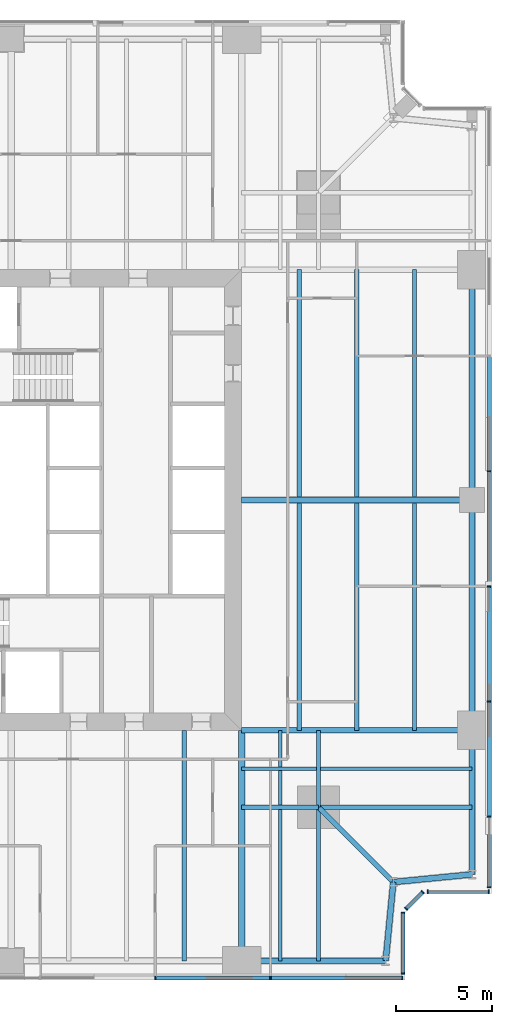
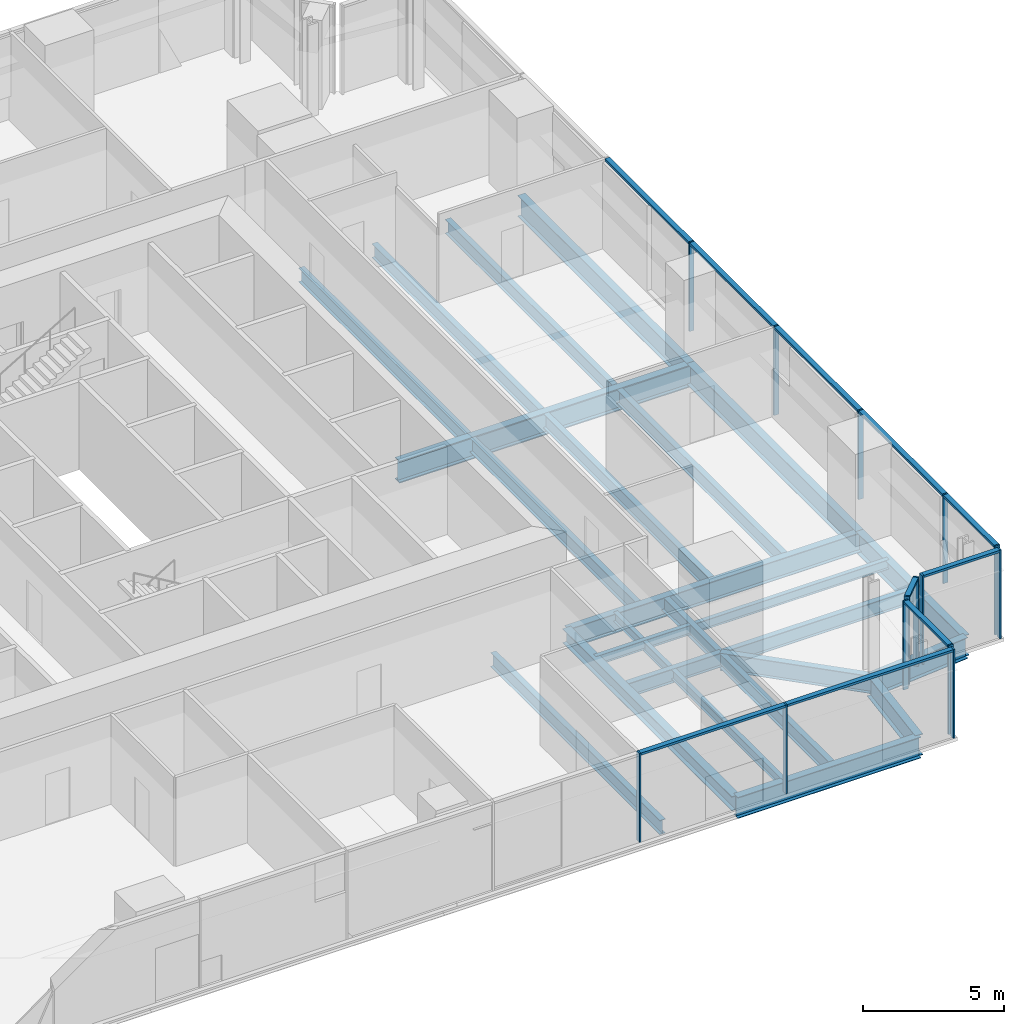
# One storey, part 5 of 14: 26 beams, 24 members, 5 elements without a shape of their own.
"""IFC4 building model written with IfcOpenShell, lengths in metres."""

from ifc_helpers import new_model, si_unit, direction, frame, origin, origin_2d, place, context, subcontext, project, spatial, rectangle, i_section, extrude, material, material_profile, profile_set, type_object, element, aggregate, save


model = new_model("IFC4")

# Units and contexts
model_context = context("Model", 3, precision=1e-05, world=origin(), true_north=direction((0.0, 1.0)))
body_context = subcontext(model_context, "Body", "Model", "MODEL_VIEW")
ifc_project = project(units=[si_unit("LENGTHUNIT", "METRE"), si_unit("AREAUNIT", "SQUARE_METRE"), si_unit("VOLUMEUNIT", "CUBIC_METRE"), si_unit("PLANEANGLEUNIT", "RADIAN"), si_unit("MASSUNIT", "GRAM", prefix="KILO")], contexts=[model_context])

# Site, building, storey
site_placement = place(None, origin())
site = spatial("IfcSite", under=ifc_project, at=site_placement, CompositionType="ELEMENT")
building_placement = place(site_placement, origin())
building = spatial("IfcBuilding", under=site, at=building_placement, Name="Fenwick Lantern Interchange", CompositionType="ELEMENT")
storey_placement = place(building_placement, frame((0.0, 0.0, 154.39990234375)))
storey = spatial("IfcBuildingStorey", under=building, at=storey_placement, Name="L36", CompositionType="ELEMENT", Elevation=154.39990234375)

# Beams
ifc_material_1 = material(Name="Steel ASTM A992 Grade 50", Category="steel")
ifc_material_profile_1 = material_profile(ifc_material_1, i_section(OverallWidth=0.3046875, OverallDepth=0.911865234375, WebThickness=0.015869140625, FlangeThickness=0.02392578125, at=origin_2d()), Name="W36X150")
ifc_profile_set_1 = profile_set([ifc_material_profile_1], Name="Steel ASTM A992 Grade 50")
beam_type_1 = type_object("IfcBeamType", Name="EDGE BEAM W36X150", PredefinedType="SPANDREL", material=ifc_profile_set_1)
beam_1_placement = place(storey_placement, frame((37.0, 1.0, -0.605712890625), z_axis=(1.0, 0.0, 0.0), x_axis=(0.0, 1.0, 0.0)))
element("IfcBeam", 1, at=beam_1_placement, inside=storey, type_object=beam_type_1, Name="L36/FR/S/EB4", PredefinedType="SPANDREL", context=body_context, shape_type="SweptSolid", body=[
    extrude(i_section(OverallWidth=0.3046875, OverallDepth=0.911865234375, WebThickness=0.015869140625, FlangeThickness=0.02392578125, at=origin_2d()), origin(), (0.0, 0.0, 1.0), 7.5),
])
for number, where, z_axis, x_axis, name in (
    (2, (44.5, 1.0, -0.605712890625), (0.097074191287, 0.995277148028, 0.0), (-0.995277148028, 0.097074191287, 0.0), "L36/FR/S/EBR1"),
    (3, (44.89990234375, 5.10009765625, -0.605712890625), (0.995277148028, 0.097074191287, 0.0), (-0.097074191287, 0.995277148028, 0.0), "L36/FR/S/EBR2"),
):
    element("IfcBeam", number, at=place(storey_placement, frame(where, z_axis=z_axis, x_axis=x_axis)), inside=storey, type_object=beam_type_1, Name=name, PredefinedType="SPANDREL", context=body_context, shape_type="SweptSolid", body=[
        extrude(i_section(OverallWidth=0.3046875, OverallDepth=0.911865234375, WebThickness=0.015869140625, FlangeThickness=0.02392578125, at=origin_2d()), origin(), (0.0, 0.0, 1.0), 4.11962890625),
    ])
beam_2_placement = place(storey_placement, frame((49.0, 5.5, -0.605712890625), z_axis=(0.0, 1.0, 0.0), x_axis=(-1.0, 0.0, 0.0)))
element("IfcBeam", 4, at=beam_2_placement, inside=storey, type_object=beam_type_1, Name="L36/FR/E/EB1", PredefinedType="SPANDREL", context=body_context, shape_type="SweptSolid", body=[
    extrude(i_section(OverallWidth=0.3046875, OverallDepth=0.911865234375, WebThickness=0.015869140625, FlangeThickness=0.02392578125, at=origin_2d()), origin(), (0.0, 0.0, 1.0), 7.5),
])
for number, where, z_axis, x_axis, name in (
    (5, (49.0, 13.0, -0.605712890625), (0.0, 1.0, 0.0), (-1.0, 0.0, 0.0), "L36/FR/E/EB2"),
    (6, (49.0, 25.0, -0.605712890625), (0.0, 1.0, 0.0), (-1.0, 0.0, 0.0), "L36/FR/E/EB3"),
):
    element("IfcBeam", number, at=place(storey_placement, frame(where, z_axis=z_axis, x_axis=x_axis)), inside=storey, type_object=beam_type_1, Name=name, PredefinedType="SPANDREL", context=body_context, shape_type="SweptSolid", body=[
        extrude(i_section(OverallWidth=0.3046875, OverallDepth=0.911865234375, WebThickness=0.015869140625, FlangeThickness=0.02392578125, at=origin_2d()), origin(), (0.0, 0.0, 1.0), 12.0),
    ])
ifc_material_profile_2 = material_profile(ifc_material_1, i_section(OverallWidth=0.22900390625, OverallDepth=0.612060546875, WebThickness=0.011962890625, FlangeThickness=0.01953125, at=origin_2d()), Name="W24X84")
ifc_profile_set_2 = profile_set([ifc_material_profile_2], Name="Steel ASTM A992 Grade 50")
beam_type_2 = type_object("IfcBeamType", Name="FLOOR BEAM W24X84", PredefinedType="BEAM", material=ifc_profile_set_2)
beam_3_placement = place(storey_placement, frame((34.0, 1.0, -0.4560546875), z_axis=(0.0, 1.0, 0.0), x_axis=(-1.0, 0.0, 0.0)))
element("IfcBeam", 7, at=beam_3_placement, inside=storey, type_object=beam_type_2, Name="L36/FR/S/R08", PredefinedType="BEAM", context=body_context, shape_type="SweptSolid", body=[
    extrude(i_section(OverallWidth=0.22900390625, OverallDepth=0.612060546875, WebThickness=0.011962890625, FlangeThickness=0.01953125, at=origin_2d()), origin(), (0.0, 0.0, 1.0), 12.0),
])
for number, where, z_axis, x_axis, name in (
    (8, (46.0, 13.0, -0.4560546875), (0.0, 1.0, 0.0), (-1.0, 0.0, 0.0), "L36/FR/E/B01"),
    (9, (43.0, 13.0, -0.4560546875), (0.0, 1.0, 0.0), (-1.0, 0.0, 0.0), "L36/FR/E/B02"),
    (10, (40.0, 13.0, -0.4560546875), (0.0, 1.0, 0.0), (-1.0, 0.0, 0.0), "L36/FR/E/B03"),
    (11, (46.0, 25.155029296875, -0.4560546875), (0.0, 1.0, 0.0), (-1.0, 0.0, 0.0), "L36/FR/E/B04"),
    (12, (43.0, 25.155029296875, -0.4560546875), (0.0, 1.0, 0.0), (-1.0, 0.0, 0.0), "L36/FR/E/B05"),
    (13, (40.0, 25.155029296875, -0.4560546875), (0.0, 1.0, 0.0), (-1.0, 0.0, 0.0), "L36/FR/E/B06"),
):
    element("IfcBeam", number, at=place(storey_placement, frame(where, z_axis=z_axis, x_axis=x_axis)), inside=storey, type_object=beam_type_2, Name=name, PredefinedType="BEAM", context=body_context, shape_type="SweptSolid", body=[
        extrude(i_section(OverallWidth=0.22900390625, OverallDepth=0.612060546875, WebThickness=0.011962890625, FlangeThickness=0.01953125, at=origin_2d()), origin(), (0.0, 0.0, 1.0), 11.844970703125),
    ])
ifc_material_profile_3 = material_profile(ifc_material_1, i_section(OverallWidth=0.177734375, OverallDepth=0.406494140625, WebThickness=0.0078125, FlangeThickness=0.012939453125, at=origin_2d()), Name="W16X40")
ifc_profile_set_3 = profile_set([ifc_material_profile_3], Name="Steel ASTM A992 Grade 50")
beam_type_3 = type_object("IfcBeamType", Name="INFILL BEAM W16X40", PredefinedType="JOIST", material=ifc_profile_set_3)
beam_4_placement = place(storey_placement, frame((49.0, 11.0, -0.35302734375), z_axis=(-1.0, 0.0, 0.0), x_axis=(0.0, -1.0, 0.0)))
element("IfcBeam", 14, at=beam_4_placement, inside=storey, type_object=beam_type_3, Name="L36/FR/E/J1", PredefinedType="JOIST", context=body_context, shape_type="SweptSolid", body=[
    extrude(i_section(OverallWidth=0.177734375, OverallDepth=0.406494140625, WebThickness=0.0078125, FlangeThickness=0.012939453125, at=origin_2d()), origin(), (0.0, 0.0, 1.0), 7.885498046875),
])
beam_5_placement = place(storey_placement, frame((40.885498046875, 11.0, -0.35302734375), z_axis=(-1.0, 0.0, 0.0), x_axis=(0.0, -1.0, 0.0)))
element("IfcBeam", 15, at=beam_5_placement, inside=storey, type_object=beam_type_3, Name="L36/FR/E/J2", PredefinedType="JOIST", context=body_context, shape_type="SweptSolid", body=[
    extrude(i_section(OverallWidth=0.177734375, OverallDepth=0.406494140625, WebThickness=0.0078125, FlangeThickness=0.012939453125, at=origin_2d()), origin(), (0.0, 0.0, 1.0), 3.885498046875),
])
beam_6_placement = place(storey_placement, frame((39.0, 1.0, -0.35302734375), z_axis=(0.0, 1.0, 0.0), x_axis=(-1.0, 0.0, 0.0)))
element("IfcBeam", 16, at=beam_6_placement, inside=storey, type_object=beam_type_3, Name="L36/FR/E/J3", PredefinedType="JOIST", context=body_context, shape_type="SweptSolid", body=[
    extrude(i_section(OverallWidth=0.177734375, OverallDepth=0.406494140625, WebThickness=0.0078125, FlangeThickness=0.012939453125, at=origin_2d()), origin(), (0.0, 0.0, 1.0), 7.885498046875),
])
beam_7_placement = place(storey_placement, frame((39.0, 9.114501953125, -0.35302734375), z_axis=(0.0, 1.0, 0.0), x_axis=(-1.0, 0.0, 0.0)))
element("IfcBeam", 17, at=beam_7_placement, inside=storey, type_object=beam_type_3, Name="L36/FR/E/J4", PredefinedType="JOIST", context=body_context, shape_type="SweptSolid", body=[
    extrude(i_section(OverallWidth=0.177734375, OverallDepth=0.406494140625, WebThickness=0.0078125, FlangeThickness=0.012939453125, at=origin_2d()), origin(), (0.0, 0.0, 1.0), 1.796630859375),
])
beam_8_placement = place(storey_placement, frame((39.0, 11.0888671875, -0.35302734375), z_axis=(0.0, 1.0, 0.0), x_axis=(-1.0, 0.0, 0.0)))
element("IfcBeam", 18, at=beam_8_placement, inside=storey, type_object=beam_type_3, Name="L36/FR/E/J5", PredefinedType="JOIST", context=body_context, shape_type="SweptSolid", body=[
    extrude(i_section(OverallWidth=0.177734375, OverallDepth=0.406494140625, WebThickness=0.0078125, FlangeThickness=0.012939453125, at=origin_2d()), origin(), (0.0, 0.0, 1.0), 1.9111328125),
])
ifc_material_profile_4 = material_profile(ifc_material_1, i_section(OverallWidth=0.22900390625, OverallDepth=0.612060546875, WebThickness=0.011962890625, FlangeThickness=0.01953125, at=origin_2d()), Name="W24X84")
ifc_profile_set_4 = profile_set([ifc_material_profile_4], Name="Steel ASTM A992 Grade 50")
beam_type_4 = type_object("IfcBeamType", Name="MEGA COLUMN BEAM W24X84", PredefinedType="BEAM", material=ifc_profile_set_4)
for number, where, z_axis, x_axis, name in (
    (19, (41.0, 9.0, -0.4560546875), (1.0, 0.0, 0.0), (0.0, 1.0, 0.0), "L36/FR/E/MB1"),
    (20, (41.0, 9.0, -0.4560546875), (0.0, -1.0, 0.0), (1.0, 0.0, 0.0), "L36/FR/E/MB2"),
):
    element("IfcBeam", number, at=place(storey_placement, frame(where, z_axis=z_axis, x_axis=x_axis)), inside=storey, type_object=beam_type_4, Name=name, PredefinedType="BEAM", context=body_context, shape_type="SweptSolid", body=[
        extrude(i_section(OverallWidth=0.22900390625, OverallDepth=0.612060546875, WebThickness=0.011962890625, FlangeThickness=0.01953125, at=origin_2d()), origin(), (0.0, 0.0, 1.0), 8.0),
    ])
for number, where, z_axis, x_axis, name in (
    (21, (41.0, 9.0, -0.4560546875), (0.0, 1.0, 0.0), (-1.0, 0.0, 0.0), "L36/FR/E/MB3"),
    (22, (41.0, 9.0, -0.4560546875), (-1.0, 0.0, 0.0), (0.0, -1.0, 0.0), "L36/FR/E/MB4"),
):
    element("IfcBeam", number, at=place(storey_placement, frame(where, z_axis=z_axis, x_axis=x_axis)), inside=storey, type_object=beam_type_4, Name=name, PredefinedType="BEAM", context=body_context, shape_type="SweptSolid", body=[
        extrude(i_section(OverallWidth=0.22900390625, OverallDepth=0.612060546875, WebThickness=0.011962890625, FlangeThickness=0.01953125, at=origin_2d()), origin(), (0.0, 0.0, 1.0), 4.0),
    ])
ifc_material_profile_5 = material_profile(ifc_material_1, i_section(OverallWidth=0.32763671875, OverallDepth=0.622314453125, WebThickness=0.015380859375, FlangeThickness=0.0244140625, at=origin_2d()), Name="W24X131")
ifc_profile_set_5 = profile_set([ifc_material_profile_5], Name="Steel ASTM A992 Grade 50")
beam_type_5 = type_object("IfcBeamType", Name="MOMENT-CONNECTED GIRDER W24X131", PredefinedType="BEAM", material=ifc_profile_set_5)
beam_9_placement = place(storey_placement, frame((37.0, 1.0, -0.4609375), z_axis=(0.0, 1.0, 0.0), x_axis=(-1.0, 0.0, 0.0)))
element("IfcBeam", 23, at=beam_9_placement, inside=storey, type_object=beam_type_5, Name="L36/FR/S/R09", PredefinedType="BEAM", context=body_context, shape_type="SweptSolid", body=[
    extrude(i_section(OverallWidth=0.32763671875, OverallDepth=0.622314453125, WebThickness=0.015380859375, FlangeThickness=0.0244140625, at=origin_2d()), origin(), (0.0, 0.0, 1.0), 12.0),
])
ifc_material_profile_6 = material_profile(ifc_material_1, i_section(OverallWidth=0.2919921875, OverallDepth=0.845703125, WebThickness=0.015380859375, FlangeThickness=0.0244140625, at=origin_2d()), Name="W33X141")
ifc_profile_set_6 = profile_set([ifc_material_profile_6], Name="Steel ASTM A992 Grade 50")
beam_type_6 = type_object("IfcBeamType", Name="MOMENT-CONNECTED GIRDER W33X141", PredefinedType="BEAM", material=ifc_profile_set_6)
beam_10_placement = place(storey_placement, frame((49.0, 13.0, -0.57275390625), z_axis=(-1.0, 0.0, 0.0), x_axis=(0.0, -1.0, 0.0)))
element("IfcBeam", 24, at=beam_10_placement, inside=storey, type_object=beam_type_6, Name="L36/FR/E/R01", PredefinedType="BEAM", context=body_context, shape_type="SweptSolid", body=[
    extrude(i_section(OverallWidth=0.2919921875, OverallDepth=0.845703125, WebThickness=0.015380859375, FlangeThickness=0.0244140625, at=origin_2d()), origin(), (0.0, 0.0, 1.0), 12.0),
])
ifc_material_profile_7 = material_profile(ifc_material_1, i_section(OverallWidth=0.309814453125, OverallDepth=0.949951171875, WebThickness=0.0244140625, FlangeThickness=0.0439453125, at=origin_2d()), Name="W36X256")
ifc_profile_set_7 = profile_set([ifc_material_profile_7], Name="Steel ASTM A992 Grade 50")
beam_type_7 = type_object("IfcBeamType", Name="MOMENT-CONNECTED GIRDER W36X256", PredefinedType="BEAM", material=ifc_profile_set_7)
beam_11_placement = place(storey_placement, frame((49.0, 25.0, -0.625), z_axis=(-1.0, 0.0, 0.0), x_axis=(0.0, -1.0, 0.0)))
element("IfcBeam", 25, at=beam_11_placement, inside=storey, type_object=beam_type_7, Name="L36/FR/E/R02", PredefinedType="BEAM", context=body_context, shape_type="SweptSolid", body=[
    extrude(i_section(OverallWidth=0.309814453125, OverallDepth=0.949951171875, WebThickness=0.0244140625, FlangeThickness=0.0439453125, at=origin_2d()), origin(), (0.0, 0.0, 1.0), 12.0),
])
ifc_material_profile_8 = material_profile(ifc_material_1, i_section(OverallWidth=0.2666015625, OverallDepth=0.7568359375, WebThickness=0.013916015625, FlangeThickness=0.019287109375, at=origin_2d()), Name="W30X108")
ifc_profile_set_8 = profile_set([ifc_material_profile_8], Name="Steel ASTM A992 Grade 50")
beam_type_8 = type_object("IfcBeamType", Name="NOTCH BEAM W30X108", PredefinedType="BEAM", material=ifc_profile_set_8)
beam_12_placement = place(storey_placement, frame((41.0, 9.0, -0.5283203125), z_axis=(0.707106781187, -0.707106781187, 0.0), x_axis=(0.707106781187, 0.707106781187, 0.0)))
element("IfcBeam", 26, at=beam_12_placement, inside=storey, type_object=beam_type_8, Name="L36/FR/E/TG", PredefinedType="BEAM", context=body_context, shape_type="SweptSolid", body=[
    extrude(i_section(OverallWidth=0.2666015625, OverallDepth=0.7568359375, WebThickness=0.013916015625, FlangeThickness=0.019287109375, at=origin_2d()), origin(), (0.0, 0.0, 1.0), 5.515380859375),
])

# Curtain wall, members
ifc_material_2 = material(Name="Aluminium curtain wall frame", Category="aluminium")
curtain_wall_type = type_object("IfcCurtainWallType", Name="OFFICE CURTAIN WALL", PredefinedType="USERDEFINED", material=ifc_material_2)
curtain_wall_1_placement = place(storey_placement, origin())
curtain_wall_1 = element("IfcCurtainWall", 27, at=curtain_wall_1_placement, inside=storey, type_object=curtain_wall_type, Name="Office curtain wall 01", ObjectType="OFFICE CURTAIN WALL", PredefinedType="USERDEFINED")
ifc_material_3 = material(Name="Aluminium extrusion", Category="aluminium")
ifc_material_profile_9 = material_profile(ifc_material_3, rectangle(XDim=0.199951171875, YDim=0.06494140625, at=origin_2d()), Name="OFFICE CURTAIN WALL MULLION 65 X 200")
ifc_profile_set_9 = profile_set([ifc_material_profile_9], Name="Aluminium extrusion")
member_type_1 = type_object("IfcMemberType", Name="OFFICE CURTAIN WALL MULLION 65 X 200", PredefinedType="MULLION", material=ifc_profile_set_9)
member_1_placement = place(storey_placement, frame((32.5, 0.10009765625, 0.0), z_axis=(0.0, 0.0, 1.0), x_axis=(0.0, 1.0, 0.0)))
member_1 = element("IfcMember", 28, at=member_1_placement, type_object=member_type_1, Name="L36/CW/01/M05", PredefinedType="MULLION", context=body_context, shape_type="SweptSolid", body=[
    extrude(rectangle(XDim=0.199951171875, YDim=0.06494140625, at=origin_2d()), origin(), (0.0, 0.0, 1.0), 3.85009765625),
])
member_2_placement = place(storey_placement, frame((38.5, 0.10009765625, 0.0), z_axis=(0.0, 0.0, 1.0), x_axis=(0.0, 1.0, 0.0)))
member_2 = element("IfcMember", 29, at=member_2_placement, type_object=member_type_1, Name="L36/CW/01/M06", PredefinedType="MULLION", context=body_context, shape_type="SweptSolid", body=[
    extrude(rectangle(XDim=0.199951171875, YDim=0.06494140625, at=origin_2d()), origin(), (0.0, 0.0, 1.0), 3.85009765625),
])
member_3_placement = place(storey_placement, frame((45.367431640625, 0.10009765625, 0.0), z_axis=(0.0, 0.0, 1.0), x_axis=(0.0, 1.0, 0.0)))
member_3 = element("IfcMember", 30, at=member_3_placement, type_object=member_type_1, Name="L36/CW/01/M07", PredefinedType="MULLION", context=body_context, shape_type="SweptSolid", body=[
    extrude(rectangle(XDim=0.199951171875, YDim=0.06494140625, at=origin_2d()), origin(), (0.0, 0.0, 1.0), 3.85009765625),
])

curtain_wall_2_placement = place(storey_placement, origin())
curtain_wall_2 = element("IfcCurtainWall", 31, at=curtain_wall_2_placement, inside=storey, type_object=curtain_wall_type, Name="Office curtain wall 02", ObjectType="OFFICE CURTAIN WALL", PredefinedType="USERDEFINED")
member_4_placement = place(storey_placement, frame((45.39990234375, 0.33251953125, 0.0), z_axis=(0.0, 0.0, 1.0), x_axis=(-1.0, 0.0, 0.0)))
member_4 = element("IfcMember", 32, at=member_4_placement, type_object=member_type_1, Name="L36/CW/02/M00", PredefinedType="MULLION", context=body_context, shape_type="SweptSolid", body=[
    extrude(rectangle(XDim=0.199951171875, YDim=0.06494140625, at=origin_2d()), origin(), (0.0, 0.0, 1.0), 3.85009765625),
])
member_5_placement = place(storey_placement, frame((45.39990234375, 3.509033203125, 0.0), z_axis=(0.0, 0.0, 1.0), x_axis=(-1.0, 0.0, 0.0)))
member_5 = element("IfcMember", 33, at=member_5_placement, type_object=member_type_1, Name="L36/CW/02/M01", PredefinedType="MULLION", context=body_context, shape_type="SweptSolid", body=[
    extrude(rectangle(XDim=0.199951171875, YDim=0.06494140625, at=origin_2d()), origin(), (0.0, 0.0, 1.0), 3.85009765625),
])

curtain_wall_3_placement = place(storey_placement, origin())
curtain_wall_3 = element("IfcCurtainWall", 34, at=curtain_wall_3_placement, inside=storey, type_object=curtain_wall_type, Name="Office curtain wall 03", ObjectType="OFFICE CURTAIN WALL", PredefinedType="USERDEFINED")
member_6_placement = place(storey_placement, frame((45.564453125, 3.705810546875, 0.0), z_axis=(0.0, 0.0, 1.0), x_axis=(-0.707106781187, 0.707106781187, 0.0)))
member_6 = element("IfcMember", 35, at=member_6_placement, type_object=member_type_1, Name="L36/CW/03/M00", PredefinedType="MULLION", context=body_context, shape_type="SweptSolid", body=[
    extrude(rectangle(XDim=0.199951171875, YDim=0.06494140625, at=origin_2d()), origin(), (0.0, 0.0, 1.0), 3.85009765625),
])
member_7_placement = place(storey_placement, frame((46.435546875, 4.576904296875, 0.0), z_axis=(0.0, 0.0, 1.0), x_axis=(-0.707106781187, 0.707106781187, 0.0)))
member_7 = element("IfcMember", 36, at=member_7_placement, type_object=member_type_1, Name="L36/CW/03/M01", PredefinedType="MULLION", context=body_context, shape_type="SweptSolid", body=[
    extrude(rectangle(XDim=0.199951171875, YDim=0.06494140625, at=origin_2d()), origin(), (0.0, 0.0, 1.0), 3.85009765625),
])

curtain_wall_4_placement = place(storey_placement, origin())
curtain_wall_4 = element("IfcCurtainWall", 37, at=curtain_wall_4_placement, inside=storey, type_object=curtain_wall_type, Name="Office curtain wall 04", ObjectType="OFFICE CURTAIN WALL", PredefinedType="USERDEFINED")
member_8_placement = place(storey_placement, frame((46.691162109375, 4.60009765625, 0.0), z_axis=(0.0, 0.0, 1.0), x_axis=(0.0, 1.0, 0.0)))
member_8 = element("IfcMember", 38, at=member_8_placement, type_object=member_type_1, Name="L36/CW/04/M00", PredefinedType="MULLION", context=body_context, shape_type="SweptSolid", body=[
    extrude(rectangle(XDim=0.199951171875, YDim=0.06494140625, at=origin_2d()), origin(), (0.0, 0.0, 1.0), 3.85009765625),
])
member_9_placement = place(storey_placement, frame((49.867431640625, 4.60009765625, 0.0), z_axis=(0.0, 0.0, 1.0), x_axis=(0.0, 1.0, 0.0)))
member_9 = element("IfcMember", 39, at=member_9_placement, type_object=member_type_1, Name="L36/CW/04/M01", PredefinedType="MULLION", context=body_context, shape_type="SweptSolid", body=[
    extrude(rectangle(XDim=0.199951171875, YDim=0.06494140625, at=origin_2d()), origin(), (0.0, 0.0, 1.0), 3.85009765625),
])

curtain_wall_5_placement = place(storey_placement, origin())
curtain_wall_5 = element("IfcCurtainWall", 40, at=curtain_wall_5_placement, inside=storey, type_object=curtain_wall_type, Name="Office curtain wall 05", ObjectType="OFFICE CURTAIN WALL", PredefinedType="USERDEFINED")
member_10_placement = place(storey_placement, frame((49.89990234375, 4.83251953125, 0.0), z_axis=(0.0, 0.0, 1.0), x_axis=(-1.0, 0.0, 0.0)))
member_10 = element("IfcMember", 41, at=member_10_placement, type_object=member_type_1, Name="L36/CW/05/M00", PredefinedType="MULLION", context=body_context, shape_type="SweptSolid", body=[
    extrude(rectangle(XDim=0.199951171875, YDim=0.06494140625, at=origin_2d()), origin(), (0.0, 0.0, 1.0), 3.85009765625),
])
member_11_placement = place(storey_placement, frame((49.89990234375, 8.5, 0.0), z_axis=(0.0, 0.0, 1.0), x_axis=(-1.0, 0.0, 0.0)))
member_11 = element("IfcMember", 42, at=member_11_placement, type_object=member_type_1, Name="L36/CW/05/M01", PredefinedType="MULLION", context=body_context, shape_type="SweptSolid", body=[
    extrude(rectangle(XDim=0.199951171875, YDim=0.06494140625, at=origin_2d()), origin(), (0.0, 0.0, 1.0), 3.85009765625),
])
member_12_placement = place(storey_placement, frame((49.89990234375, 14.5, 0.0), z_axis=(0.0, 0.0, 1.0), x_axis=(-1.0, 0.0, 0.0)))
member_12 = element("IfcMember", 43, at=member_12_placement, type_object=member_type_1, Name="L36/CW/05/M02", PredefinedType="MULLION", context=body_context, shape_type="SweptSolid", body=[
    extrude(rectangle(XDim=0.199951171875, YDim=0.06494140625, at=origin_2d()), origin(), (0.0, 0.0, 1.0), 3.85009765625),
])
member_13_placement = place(storey_placement, frame((49.89990234375, 20.5, 0.0), z_axis=(0.0, 0.0, 1.0), x_axis=(-1.0, 0.0, 0.0)))
member_13 = element("IfcMember", 44, at=member_13_placement, type_object=member_type_1, Name="L36/CW/05/M03", PredefinedType="MULLION", context=body_context, shape_type="SweptSolid", body=[
    extrude(rectangle(XDim=0.199951171875, YDim=0.06494140625, at=origin_2d()), origin(), (0.0, 0.0, 1.0), 3.85009765625),
])
member_14_placement = place(storey_placement, frame((49.89990234375, 26.5, 0.0), z_axis=(0.0, 0.0, 1.0), x_axis=(-1.0, 0.0, 0.0)))
member_14 = element("IfcMember", 45, at=member_14_placement, type_object=member_type_1, Name="L36/CW/05/M04", PredefinedType="MULLION", context=body_context, shape_type="SweptSolid", body=[
    extrude(rectangle(XDim=0.199951171875, YDim=0.06494140625, at=origin_2d()), origin(), (0.0, 0.0, 1.0), 3.85009765625),
])

# Member
ifc_material_profile_10 = material_profile(ifc_material_3, rectangle(XDim=0.199951171875, YDim=0.10009765625, at=origin_2d()), Name="OFFICE CURTAIN WALL TRANSOM 100 X 200")
ifc_profile_set_10 = profile_set([ifc_material_profile_10], Name="Aluminium extrusion")
member_type_2 = type_object("IfcMemberType", Name="OFFICE CURTAIN WALL TRANSOM 100 X 200", PredefinedType="MULLION", material=ifc_profile_set_10)
member_15_placement = place(storey_placement, frame((32.532470703125, 0.10009765625, 3.800048828125), z_axis=(1.0, 0.0, 0.0), x_axis=(0.0, 1.0, 0.0)))
member_15 = element("IfcMember", 46, at=member_15_placement, type_object=member_type_2, Name="L36/CW/01/T05", PredefinedType="MULLION", context=body_context, shape_type="SweptSolid", body=[
    extrude(rectangle(XDim=0.199951171875, YDim=0.10009765625, at=origin_2d()), origin(), (0.0, 0.0, 1.0), 5.93505859375),
])

member_16_placement = place(storey_placement, frame((38.532470703125, 0.10009765625, 3.800048828125), z_axis=(1.0, 0.0, 0.0), x_axis=(0.0, 1.0, 0.0)))
member_16 = element("IfcMember", 47, at=member_16_placement, type_object=member_type_2, Name="L36/CW/01/T06", PredefinedType="MULLION", context=body_context, shape_type="SweptSolid", body=[
    extrude(rectangle(XDim=0.199951171875, YDim=0.10009765625, at=origin_2d()), origin(), (0.0, 0.0, 1.0), 6.802490234375),
])

aggregate(curtain_wall_1, [member_1, member_2, member_3, member_15, member_16])

member_17_placement = place(storey_placement, frame((45.39990234375, 0.364990234375, 3.800048828125), z_axis=(0.0, 1.0, 0.0), x_axis=(-1.0, 0.0, 0.0)))
member_17 = element("IfcMember", 48, at=member_17_placement, type_object=member_type_2, Name="L36/CW/02/T00", PredefinedType="MULLION", context=body_context, shape_type="SweptSolid", body=[
    extrude(rectangle(XDim=0.199951171875, YDim=0.10009765625, at=origin_2d()), origin(), (0.0, 0.0, 1.0), 3.111328125),
])

aggregate(curtain_wall_2, [member_4, member_5, member_17])

member_18_placement = place(storey_placement, frame((45.58740234375, 3.728759765625, 3.800048828125), z_axis=(0.707106781187, 0.707106781187, 0.0), x_axis=(-0.707106781187, 0.707106781187, 0.0)))
member_18 = element("IfcMember", 49, at=member_18_placement, type_object=member_type_2, Name="L36/CW/03/T00", PredefinedType="MULLION", context=body_context, shape_type="SweptSolid", body=[
    extrude(rectangle(XDim=0.199951171875, YDim=0.10009765625, at=origin_2d()), origin(), (0.0, 0.0, 1.0), 1.1669921875),
])

aggregate(curtain_wall_3, [member_6, member_7, member_18])

member_19_placement = place(storey_placement, frame((46.7236328125, 4.60009765625, 3.800048828125), z_axis=(1.0, 0.0, 0.0), x_axis=(0.0, 1.0, 0.0)))
member_19 = element("IfcMember", 50, at=member_19_placement, type_object=member_type_2, Name="L36/CW/04/T00", PredefinedType="MULLION", context=body_context, shape_type="SweptSolid", body=[
    extrude(rectangle(XDim=0.199951171875, YDim=0.10009765625, at=origin_2d()), origin(), (0.0, 0.0, 1.0), 3.111328125),
])

aggregate(curtain_wall_4, [member_8, member_9, member_19])

member_20_placement = place(storey_placement, frame((49.89990234375, 4.864990234375, 3.800048828125), z_axis=(0.0, 1.0, 0.0), x_axis=(-1.0, 0.0, 0.0)))
member_20 = element("IfcMember", 51, at=member_20_placement, type_object=member_type_2, Name="L36/CW/05/T00", PredefinedType="MULLION", context=body_context, shape_type="SweptSolid", body=[
    extrude(rectangle(XDim=0.199951171875, YDim=0.10009765625, at=origin_2d()), origin(), (0.0, 0.0, 1.0), 3.6025390625),
])

member_21_placement = place(storey_placement, frame((49.89990234375, 8.532470703125, 3.800048828125), z_axis=(0.0, 1.0, 0.0), x_axis=(-1.0, 0.0, 0.0)))
member_21 = element("IfcMember", 52, at=member_21_placement, type_object=member_type_2, Name="L36/CW/05/T01", PredefinedType="MULLION", context=body_context, shape_type="SweptSolid", body=[
    extrude(rectangle(XDim=0.199951171875, YDim=0.10009765625, at=origin_2d()), origin(), (0.0, 0.0, 1.0), 5.93505859375),
])

member_22_placement = place(storey_placement, frame((49.89990234375, 14.532470703125, 3.800048828125), z_axis=(0.0, 1.0, 0.0), x_axis=(-1.0, 0.0, 0.0)))
member_22 = element("IfcMember", 53, at=member_22_placement, type_object=member_type_2, Name="L36/CW/05/T02", PredefinedType="MULLION", context=body_context, shape_type="SweptSolid", body=[
    extrude(rectangle(XDim=0.199951171875, YDim=0.10009765625, at=origin_2d()), origin(), (0.0, 0.0, 1.0), 5.93505859375),
])

member_23_placement = place(storey_placement, frame((49.89990234375, 20.532470703125, 3.800048828125), z_axis=(0.0, 1.0, 0.0), x_axis=(-1.0, 0.0, 0.0)))
member_23 = element("IfcMember", 54, at=member_23_placement, type_object=member_type_2, Name="L36/CW/05/T03", PredefinedType="MULLION", context=body_context, shape_type="SweptSolid", body=[
    extrude(rectangle(XDim=0.199951171875, YDim=0.10009765625, at=origin_2d()), origin(), (0.0, 0.0, 1.0), 5.93505859375),
])

member_24_placement = place(storey_placement, frame((49.89990234375, 26.532470703125, 3.800048828125), z_axis=(0.0, 1.0, 0.0), x_axis=(-1.0, 0.0, 0.0)))
member_24 = element("IfcMember", 55, at=member_24_placement, type_object=member_type_2, Name="L36/CW/05/T04", PredefinedType="MULLION", context=body_context, shape_type="SweptSolid", body=[
    extrude(rectangle(XDim=0.199951171875, YDim=0.10009765625, at=origin_2d()), origin(), (0.0, 0.0, 1.0), 5.93505859375),
])

aggregate(curtain_wall_5, [member_10, member_11, member_12, member_13, member_14, member_20, member_21, member_22, member_23, member_24])

save(model, "model.ifc")
